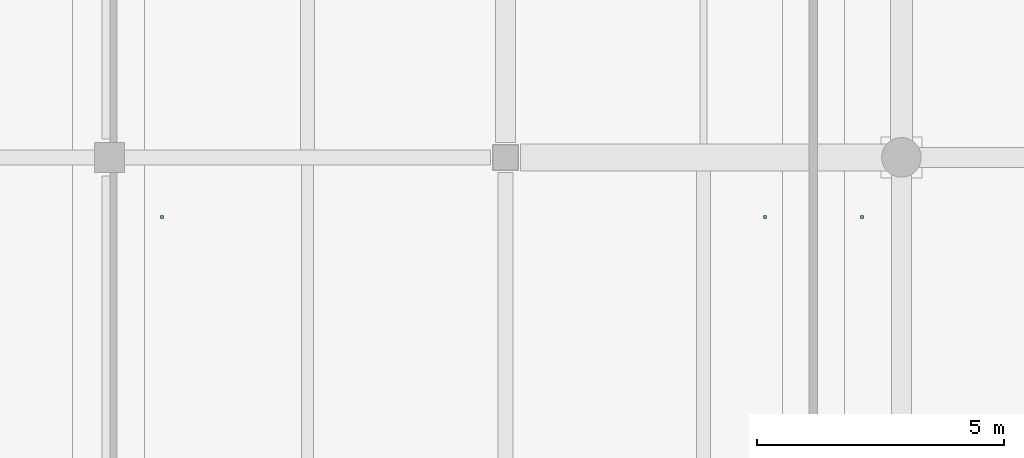
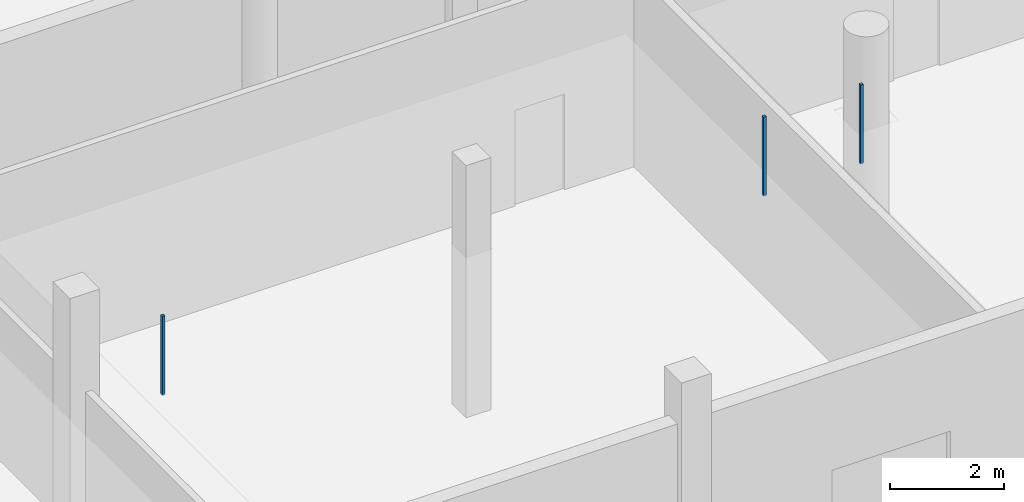
# One storey, part 84 of 126: 3 discrete accessories.
"""IFC4 building model written with IfcOpenShell, lengths in metres."""

from ifc_helpers import new_model, si_unit, direction, frame, origin, origin_2d, place, context, subcontext, project, spatial, rectangle, extrude, material, type_object, element, save


model = new_model("IFC4")

# Units and contexts
model_context = context("Model", 3, precision=1e-05, world=origin(), true_north=direction((0.0, 1.0)))
body_context = subcontext(model_context, "Body", "Model", "MODEL_VIEW")
ifc_project = project(units=[si_unit("LENGTHUNIT", "METRE"), si_unit("AREAUNIT", "SQUARE_METRE"), si_unit("VOLUMEUNIT", "CUBIC_METRE"), si_unit("PLANEANGLEUNIT", "RADIAN"), si_unit("MASSUNIT", "GRAM", prefix="KILO")], contexts=[model_context])

# Site, building, storey
site_placement = place(None, origin())
site = spatial("IfcSite", under=ifc_project, at=site_placement, CompositionType="ELEMENT")
building_placement = place(site_placement, origin())
building = spatial("IfcBuilding", under=site, at=building_placement, Name="Khelvaren Railside Concert Hall", CompositionType="ELEMENT")
storey_placement = place(building_placement, origin())
storey = spatial("IfcBuildingStorey", under=building, at=storey_placement, Name="L00", CompositionType="ELEMENT", Elevation=0.0)

# Discrete accessories
ifc_material = material(Name="Galvanised steel acoustic ceiling hanger rod", Category="steel")
discrete_accessory_type = type_object("IfcDiscreteAccessoryType", Name="BRK62", PredefinedType="BRACKET", material=ifc_material)
for number, where, z_axis, x_axis, name in (
    (1, (17.06005859375, 74.800048828125, 3.429931640625), (0.0, 0.0, 1.0), (1.0, 0.0, 0.0), "Acoustic Ceiling Suspension Bracket 104-1"),
    (2, (29.241943359375, 74.800048828125, 3.429931640625), (0.0, 0.0, 1.0), (1.0, 0.0, 0.0), "Acoustic Ceiling Suspension Bracket 104-2"),
    (3, (31.201904296875, 74.800048828125, 3.429931640625), (0.0, 0.0, 1.0), (1.0, 0.0, 0.0), "Acoustic Ceiling Suspension Bracket 105-1"),
):
    element("IfcDiscreteAccessory", number, at=place(storey_placement, frame(where, z_axis=z_axis, x_axis=x_axis)), inside=storey, type_object=discrete_accessory_type, Name=name, PredefinedType="BRACKET", context=body_context, shape_type="SweptSolid", body=[
        extrude(rectangle(XDim=0.06005859375, YDim=0.06005859375, at=origin_2d()), origin(), (0.0, 0.0, 1.0), 1.68994140625),
    ])

save(model, "model.ifc")
